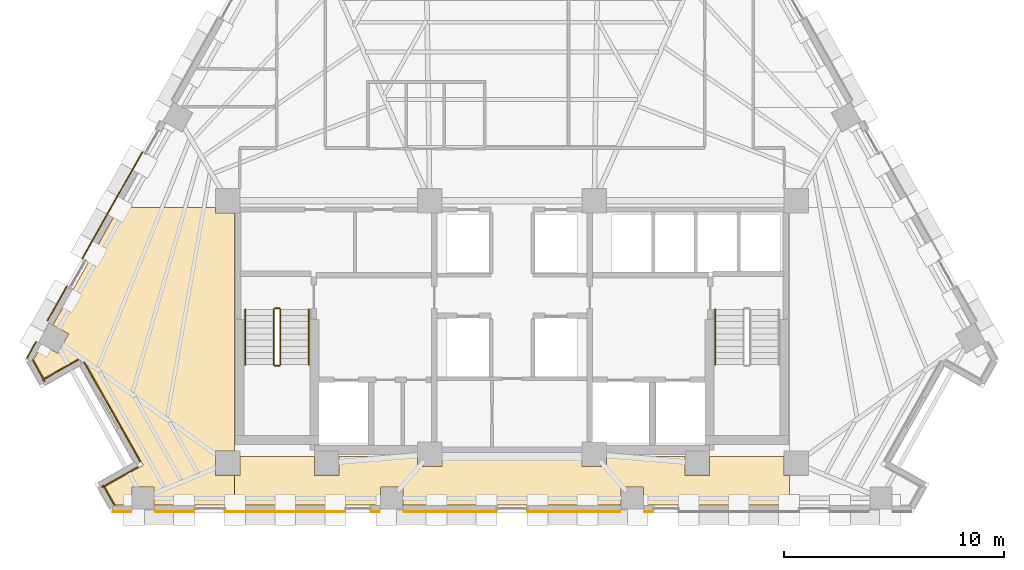
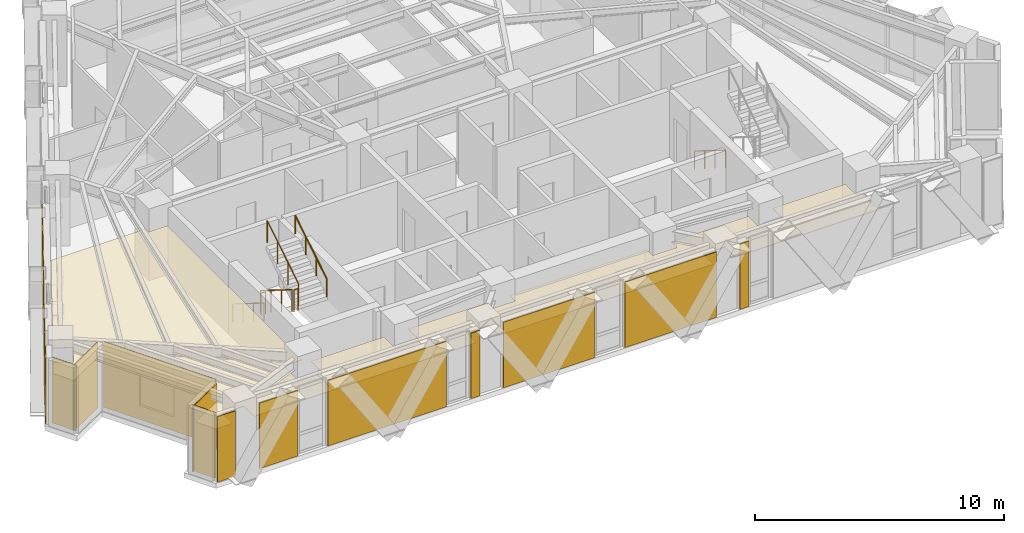
# One storey, part 10 of 13: 17 coverings, 7 railings.
"""IFC4 building model written with IfcOpenShell, lengths in metres."""

from ifc_helpers import new_model, si_unit, direction, frame, origin, origin_2d, place, context, subcontext, project, spatial, polyline, circle, outline, extrude, material, layer, layer_set, type_object, element, save


model = new_model("IFC4")

# Units and contexts
model_context = context("Model", 3, precision=1e-05, world=origin(), true_north=direction((0.0, 1.0)))
body_context = subcontext(model_context, "Body", "Model", "MODEL_VIEW")
ifc_project = project(units=[si_unit("LENGTHUNIT", "METRE"), si_unit("AREAUNIT", "SQUARE_METRE"), si_unit("VOLUMEUNIT", "CUBIC_METRE"), si_unit("PLANEANGLEUNIT", "RADIAN"), si_unit("MASSUNIT", "GRAM", prefix="KILO")], contexts=[model_context])

# Site, building, storey
site_placement = place(None, origin())
site = spatial("IfcSite", under=ifc_project, at=site_placement, CompositionType="ELEMENT")
building_placement = place(site_placement, origin())
building = spatial("IfcBuilding", under=site, at=building_placement, Name="Quenlor Broadcast Tower", CompositionType="ELEMENT")
storey_placement = place(building_placement, frame((0.0, 0.0, 161.5)))
storey = spatial("IfcBuildingStorey", under=building, at=storey_placement, Name="L44", CompositionType="ELEMENT", Elevation=161.5)

# Coverings
ifc_material_1 = material(Name="Acoustic Mineral Fibre Board", Category="other")
ifc_layer_1 = layer(ifc_material_1, 0.02490234375)
ifc_layer_set_1 = layer_set([ifc_layer_1], Name="Acoustic Perforated Mineral Tile Ceiling 25")
covering_type_1 = type_object("IfcCoveringType", Name="Acoustic Perforated Mineral Tile Ceiling 25", PredefinedType="CEILING", material=ifc_layer_set_1)
covering_1_placement = place(storey_placement, frame((0.0, 0.0, 2.375)))
element("IfcCovering", 1, at=covering_1_placement, inside=storey, type_object=covering_type_1, Name="L44 Acoustic Ceiling L44-36-3", PredefinedType="CEILING", context=body_context, shape_type="SweptSolid", body=[
    extrude(outline(polyline([(-21.794921875, -12.0400390625), (-21.406982421875, -11.350341796875), (-20.694091796875, -11.751220703125), (-20.19580078125, -10.86572265625), (-20.90869140625, -10.46484375), (-17.90234375, -5.1201171875), (-13.508056640625, -5.1201171875), (-13.508056640625, -5.35791015625), (-12.64990234375, -5.35791015625), (-12.64990234375, -16.19189453125), (-13.508056640625, -16.19189453125), (-13.508056640625, -17.30810546875), (-12.64990234375, -17.30810546875), (-12.64990234375, -18.659912109375), (-16.30029296875, -18.659912109375), (-16.30029296875, -17.842041015625), (-17.31640625, -17.842041015625), (-17.31640625, -18.659912109375), (-18.071044921875, -18.659912109375), (-18.538818359375, -17.82861328125), (-16.795654296875, -16.847900390625), (-19.580322265625, -11.8974609375), (-21.323486328125, -12.878173828125), (-21.794921875, -12.0400390625)])), origin(), (0.0, 0.0, 1.0), 0.02490234375),
])
covering_2_placement = place(storey_placement, frame((0.0, 0.0, 2.375)))
element("IfcCovering", 2, at=covering_2_placement, inside=storey, type_object=covering_type_1, Name="L44 Acoustic Ceiling L44-36-5", PredefinedType="CEILING", context=body_context, shape_type="SweptSolid", body=[
    extrude(outline(polyline([(-12.39208984375, -17.30810546875), (-12.39208984375, -16.449951171875), (-9.008056640625, -16.449951171875), (-9.008056640625, -17.30810546875), (-7.89208984375, -17.30810546875), (-7.89208984375, -16.449951171875), (-4.30810546875, -16.449951171875), (-4.30810546875, -16.907958984375), (-3.19189453125, -16.907958984375), (-3.19189453125, -16.449951171875), (3.19189453125, -16.449951171875), (3.19189453125, -16.907958984375), (4.30810546875, -16.907958984375), (4.30810546875, -16.449951171875), (7.89208984375, -16.449951171875), (7.89208984375, -17.30810546875), (9.008056640625, -17.30810546875), (9.008056640625, -16.449951171875), (12.39208984375, -16.449951171875), (12.39208984375, -17.30810546875), (12.64990234375, -17.30810546875), (12.64990234375, -18.659912109375), (5.989013671875, -18.659912109375), (5.989013671875, -17.842041015625), (4.972900390625, -17.842041015625), (4.972900390625, -18.659912109375), (-4.972900390625, -18.659912109375), (-4.972900390625, -17.842041015625), (-5.989013671875, -17.842041015625), (-5.989013671875, -18.659912109375), (-12.64990234375, -18.659912109375), (-12.64990234375, -17.30810546875), (-12.39208984375, -17.30810546875)])), origin(), (0.0, 0.0, 1.0), 0.02490234375),
])
ifc_material_2 = material(Name="Architectural Terracotta Ceramic", Category="masonry")
ifc_layer_2 = layer(ifc_material_2, 0.044921875)
ifc_layer_set_2 = layer_set([ifc_layer_2], Name="Fluted Terracotta Rainscreen Cladding Panel")
covering_type_2 = type_object("IfcCoveringType", Name="Fluted Terracotta Rainscreen Cladding Panel", PredefinedType="CLADDING", material=ifc_layer_set_2)
covering_3_placement = place(storey_placement, frame((0.0, 0.0, 0.02001953125)))
element("IfcCovering", 3, at=covering_3_placement, inside=storey, type_object=covering_type_2, Name="L44 Terracotta Rainscreen Cladding L44-SHD-SS1", PredefinedType="CLADDING", context=body_context, shape_type="SweptSolid", body=[
    extrude(outline(polyline([(-17.343505859375, -18.93701171875), (-18.179931640625, -18.93701171875), (-18.179931640625, -18.98193359375), (-17.343505859375, -18.98193359375), (-17.343505859375, -18.93701171875)])), origin(), (0.0, 0.0, 1.0), 3.2099609375),
])
covering_4_placement = place(storey_placement, frame((0.0, 0.0, 0.02001953125)))
element("IfcCovering", 4, at=covering_4_placement, inside=storey, type_object=covering_type_2, Name="L44 Terracotta Rainscreen Cladding L44-SA-SP3", PredefinedType="CLADDING", context=body_context, shape_type="SweptSolid", body=[
    extrude(outline(polyline([(6.43603515625, -18.95703125), (6.035888671875, -18.95703125), (6.035888671875, -19.001953125), (6.43603515625, -19.001953125), (6.43603515625, -18.95703125)])), origin(), (0.0, 0.0, 1.0), 3.2099609375),
])
covering_5_placement = place(storey_placement, frame((0.0, 0.0, 0.02001953125)))
element("IfcCovering", 5, at=covering_5_placement, inside=storey, type_object=covering_type_2, Name="L44 Terracotta Rainscreen Cladding L44-SC-SP1", PredefinedType="CLADDING", context=body_context, shape_type="SweptSolid", body=[
    extrude(outline(polyline([(-6.035888671875, -18.95703125), (-6.43603515625, -18.95703125), (-6.43603515625, -19.001953125), (-6.035888671875, -19.001953125), (-6.035888671875, -18.95703125)])), origin(), (0.0, 0.0, 1.0), 3.2099609375),
])
covering_6_placement = place(storey_placement, frame((0.0, 0.0, 0.02001953125)))
element("IfcCovering", 6, at=covering_6_placement, inside=storey, type_object=covering_type_2, Name="L44 Terracotta Rainscreen Cladding L44-SC-SP2", PredefinedType="CLADDING", context=body_context, shape_type="SweptSolid", body=[
    extrude(outline(polyline([(-7.5869140625, -18.95703125), (-13.076904296875, -18.95703125), (-13.076904296875, -19.001953125), (-7.5869140625, -19.001953125), (-7.5869140625, -18.95703125)])), origin(), (0.0, 0.0, 1.0), 3.2099609375),
])
covering_7_placement = place(storey_placement, frame((0.0, 0.0, 0.02001953125)))
element("IfcCovering", 7, at=covering_7_placement, inside=storey, type_object=covering_type_2, Name="L44 Terracotta Rainscreen Cladding L44-SC-SP3", PredefinedType="CLADDING", context=body_context, shape_type="SweptSolid", body=[
    extrude(outline(polyline([(-14.47509765625, -18.95703125), (-16.25341796875, -18.95703125), (-16.25341796875, -19.001953125), (-14.47509765625, -19.001953125), (-14.47509765625, -18.95703125)])), origin(), (0.0, 0.0, 1.0), 3.2099609375),
])
covering_8_placement = place(storey_placement, frame((0.0, 0.0, 0.02001953125)))
element("IfcCovering", 8, at=covering_8_placement, inside=storey, type_object=covering_type_2, Name="L44 Terracotta Rainscreen Cladding L44-S-SP1", PredefinedType="CLADDING", context=body_context, shape_type="SweptSolid", body=[
    extrude(outline(polyline([(4.930908203125, -18.95703125), (0.698974609375, -18.95703125), (0.698974609375, -19.001953125), (4.930908203125, -19.001953125), (4.930908203125, -18.95703125)])), origin(), (0.0, 0.0, 1.0), 3.2099609375),
])
covering_9_placement = place(storey_placement, frame((0.0, 0.0, 0.02001953125)))
element("IfcCovering", 9, at=covering_9_placement, inside=storey, type_object=covering_type_2, Name="L44 Terracotta Rainscreen Cladding L44-S-SP2", PredefinedType="CLADDING", context=body_context, shape_type="SweptSolid", body=[
    extrude(outline(polyline([(-0.698974609375, -18.95703125), (-4.930908203125, -18.95703125), (-4.930908203125, -19.001953125), (-0.698974609375, -19.001953125), (-0.698974609375, -18.95703125)])), origin(), (0.0, 0.0, 1.0), 3.2099609375),
])
covering_10_placement = place(storey_placement, frame((0.0, 0.0, 0.02001953125)))
element("IfcCovering", 10, at=covering_10_placement, inside=storey, type_object=covering_type_2, Name="L44 Terracotta Rainscreen Cladding L44-SHD-NWS0", PredefinedType="CLADDING", context=body_context, shape_type="SweptSolid", body=[
    extrude(outline(polyline([(-22.0859375, -11.992431640625), (-21.66162109375, -11.23779296875), (-21.70068359375, -11.2158203125), (-22.125244140625, -11.970458984375), (-22.0859375, -11.992431640625)])), origin(), (0.0, 0.0, 1.0), 3.2099609375),
])
covering_11_placement = place(storey_placement, frame((0.0, 0.0, 0.02001953125)))
element("IfcCovering", 11, at=covering_11_placement, inside=storey, type_object=covering_type_2, Name="L44 Terracotta Rainscreen Cladding L44-NWA-SP1", PredefinedType="CLADDING", context=body_context, shape_type="SweptSolid", body=[
    extrude(outline(polyline([(-21.14453125, -10.278076171875), (-20.26416015625, -8.712646484375), (-20.30322265625, -8.690673828125), (-21.183837890625, -10.256103515625), (-21.14453125, -10.278076171875)])), origin(), (0.0, 0.0, 1.0), 3.2099609375),
])
covering_12_placement = place(storey_placement, frame((0.0, 0.0, 0.02001953125)))
element("IfcCovering", 12, at=covering_12_placement, inside=storey, type_object=covering_type_2, Name="L44 Terracotta Rainscreen Cladding L44-NWA-SP2", PredefinedType="CLADDING", context=body_context, shape_type="SweptSolid", body=[
    extrude(outline(polyline([(-19.55322265625, -7.44921875), (-16.81591796875, -2.582763671875), (-16.855224609375, -2.560791015625), (-19.592529296875, -7.42724609375), (-19.55322265625, -7.44921875)])), origin(), (0.0, 0.0, 1.0), 3.2099609375),
])
covering_13_placement = place(storey_placement, frame((0.0, 0.0, 0.02001953125)))
element("IfcCovering", 13, at=covering_13_placement, inside=storey, type_object=covering_type_2, Name="L44 Terracotta Rainscreen Cladding L44-CNR-12", PredefinedType="CLADDING", context=body_context, shape_type="SweptSolid", body=[
    extrude(outline(polyline([(-21.864501953125, -12.0546875), (-21.309326171875, -13.0419921875), (-21.27001953125, -13.02001953125), (-21.825439453125, -12.03271484375), (-21.864501953125, -12.0546875)])), origin(), (0.0, 0.0, 1.0), 3.2099609375),
])
covering_14_placement = place(storey_placement, frame((0.0, 0.0, 0.02001953125)))
element("IfcCovering", 14, at=covering_14_placement, inside=storey, type_object=covering_type_2, Name="L44 Terracotta Rainscreen Cladding L44-CNR-13", PredefinedType="CLADDING", context=body_context, shape_type="SweptSolid", body=[
    extrude(outline(polyline([(-21.385986328125, -12.9912109375), (-19.72998046875, -12.059814453125), (-19.752197265625, -12.0205078125), (-21.408203125, -12.9521484375), (-21.385986328125, -12.9912109375)])), origin(), (0.0, 0.0, 1.0), 3.2099609375),
])
covering_15_placement = place(storey_placement, frame((0.0, 0.0, 0.02001953125)))
element("IfcCovering", 15, at=covering_15_placement, inside=storey, type_object=covering_type_2, Name="L44 Terracotta Rainscreen Cladding L44-CNR-14", PredefinedType="CLADDING", context=body_context, shape_type="SweptSolid", body=[
    extrude(outline(polyline([(-19.51708984375, -12.148681640625), (-16.9580078125, -16.6982421875), (-16.918701171875, -16.67626953125), (-19.477783203125, -12.126708984375), (-19.51708984375, -12.148681640625)])), origin(), (0.0, 0.0, 1.0), 3.2099609375),
])
covering_16_placement = place(storey_placement, frame((0.0, 0.0, 0.02001953125)))
element("IfcCovering", 16, at=covering_16_placement, inside=storey, type_object=covering_type_2, Name="L44 Terracotta Rainscreen Cladding L44-CNR-15", PredefinedType="CLADDING", context=body_context, shape_type="SweptSolid", body=[
    extrude(outline(polyline([(-17.046875, -16.911376953125), (-18.702880859375, -17.8427734375), (-18.680908203125, -17.882080078125), (-17.02490234375, -16.950439453125), (-17.046875, -16.911376953125)])), origin(), (0.0, 0.0, 1.0), 3.2099609375),
])
covering_17_placement = place(storey_placement, frame((0.0, 0.0, 0.02001953125)))
element("IfcCovering", 17, at=covering_17_placement, inside=storey, type_object=covering_type_2, Name="L44 Terracotta Rainscreen Cladding L44-CNR-16", PredefinedType="CLADDING", context=body_context, shape_type="SweptSolid", body=[
    extrude(outline(polyline([(-18.652099609375, -17.76611328125), (-18.127685546875, -18.697998046875), (-18.088623046875, -18.67578125), (-18.61279296875, -17.743896484375), (-18.652099609375, -17.76611328125)])), origin(), (0.0, 0.0, 1.0), 3.2099609375),
])

# Railings
ifc_material_3 = material(Name="Anodised Aluminium", Category="aluminium")
railing_type_1 = type_object("IfcRailingType", Name="Stainless Aluminium Wall Handrail 900", PredefinedType="HANDRAIL", material=ifc_material_3)
railing_1_placement = place(storey_placement, frame((-12.14990234375, -9.75, 0.175048828125)))
element("IfcRailing", 18, at=railing_1_placement, inside=storey, type_object=railing_type_1, Name="L44 ST-1 stair handrail 1", PredefinedType="HANDRAIL", context=body_context, shape_type="SweptSolid", body=[
    extrude(circle(Radius=0.02392578125, at=origin_2d()), frame((0.0, 0.0, 0.8759765625), z_axis=(0.0, -0.848007534815, 0.529984170421), x_axis=(1.0, 0.0, 0.0)), (0.0, 0.0, 1.0), 2.9716796875),
    extrude(circle(Radius=0.02099609375, at=origin_2d()), origin(), (0.0, 0.0, 1.0), 0.851806640625),
    extrude(circle(Radius=0.02099609375, at=origin_2d()), frame((0.0, -0.840087890625, 0.52490234375)), (0.0, 0.0, 1.0), 0.851806640625),
    extrude(circle(Radius=0.02099609375, at=origin_2d()), frame((0.0, -1.679931640625, 1.050048828125)), (0.0, 0.0, 1.0), 0.851806640625),
    extrude(circle(Radius=0.02099609375, at=origin_2d()), frame((0.0, -2.52001953125, 1.574951171875)), (0.0, 0.0, 1.0), 0.851806640625),
])
railing_2_placement = place(storey_placement, frame((-9.25, -12.27001953125, 1.925048828125)))
element("IfcRailing", 19, at=railing_2_placement, inside=storey, type_object=railing_type_1, Name="L44 ST-1 stair handrail 2", PredefinedType="HANDRAIL", context=body_context, shape_type="SweptSolid", body=[
    extrude(circle(Radius=0.02392578125, at=origin_2d()), frame((0.0, 0.0, 0.8759765625), z_axis=(0.0, 0.848007534815, 0.529984170421), x_axis=(-1.0, 0.0, 0.0)), (0.0, 0.0, 1.0), 2.9716796875),
    extrude(circle(Radius=0.02099609375, at=origin_2d()), origin(), (0.0, 0.0, 1.0), 0.851806640625),
    extrude(circle(Radius=0.02099609375, at=origin_2d()), frame((0.0, 0.840087890625, 0.52490234375)), (0.0, 0.0, 1.0), 0.851806640625),
    extrude(circle(Radius=0.02099609375, at=origin_2d()), frame((0.0, 1.679931640625, 1.050048828125)), (0.0, 0.0, 1.0), 0.851806640625),
    extrude(circle(Radius=0.02099609375, at=origin_2d()), frame((0.0, 2.52001953125, 1.574951171875)), (0.0, 0.0, 1.0), 0.851806640625),
])
railing_3_placement = place(storey_placement, frame((9.25, -9.75, 0.175048828125)))
element("IfcRailing", 20, at=railing_3_placement, inside=storey, type_object=railing_type_1, Name="L44 ST-2 stair handrail 1", PredefinedType="HANDRAIL", context=body_context, shape_type="SweptSolid", body=[
    extrude(circle(Radius=0.02392578125, at=origin_2d()), frame((0.0, 0.0, 0.8759765625), z_axis=(0.0, -0.848007534815, 0.529984170421), x_axis=(1.0, 0.0, 0.0)), (0.0, 0.0, 1.0), 2.9716796875),
    extrude(circle(Radius=0.02099609375, at=origin_2d()), origin(), (0.0, 0.0, 1.0), 0.851806640625),
    extrude(circle(Radius=0.02099609375, at=origin_2d()), frame((0.0, -0.840087890625, 0.52490234375)), (0.0, 0.0, 1.0), 0.851806640625),
    extrude(circle(Radius=0.02099609375, at=origin_2d()), frame((0.0, -1.679931640625, 1.050048828125)), (0.0, 0.0, 1.0), 0.851806640625),
    extrude(circle(Radius=0.02099609375, at=origin_2d()), frame((0.0, -2.52001953125, 1.574951171875)), (0.0, 0.0, 1.0), 0.851806640625),
])
ifc_material_4 = material(Name="Steel S355", Category="steel")
railing_type_2 = type_object("IfcRailingType", Name="Tubular Steel S355 Stair Guardrail 1100", PredefinedType="BALUSTRADE", material=ifc_material_4)
railing_4_placement = place(storey_placement, frame((-10.85009765625, -9.75, 0.175048828125)))
element("IfcRailing", 21, at=railing_4_placement, inside=storey, type_object=railing_type_2, Name="L44 ST-1 stair guard 1", PredefinedType="BALUSTRADE", context=body_context, shape_type="SweptSolid", body=[
    extrude(circle(Radius=0.02392578125, at=origin_2d()), frame((0.0, 0.0, 1.076171875), z_axis=(0.0, -0.848007534815, 0.529984170421), x_axis=(1.0, 0.0, 0.0)), (0.0, 0.0, 1.0), 2.9716796875),
    extrude(circle(Radius=0.02099609375, at=origin_2d()), origin(), (0.0, 0.0, 1.0), 1.052001953125),
    extrude(circle(Radius=0.02099609375, at=origin_2d()), frame((0.0, -0.840087890625, 0.52490234375)), (0.0, 0.0, 1.0), 1.052001953125),
    extrude(circle(Radius=0.02099609375, at=origin_2d()), frame((0.0, -1.679931640625, 1.050048828125)), (0.0, 0.0, 1.0), 1.052001953125),
    extrude(circle(Radius=0.02099609375, at=origin_2d()), frame((0.0, -2.52001953125, 1.574951171875)), (0.0, 0.0, 1.0), 1.052001953125),
])
railing_5_placement = place(storey_placement, frame((-10.800048828125, -12.320068359375, 1.75)))
element("IfcRailing", 22, at=railing_5_placement, inside=storey, type_object=railing_type_2, Name="L44 ST-1 stair guard 2", PredefinedType="BALUSTRADE", context=body_context, shape_type="SweptSolid", body=[
    extrude(circle(Radius=0.02392578125, at=origin_2d()), frame((0.0, 0.0, 1.076171875), z_axis=(1.0, 0.0, 0.0), x_axis=(0.0, 1.0, 0.0)), (0.0, 0.0, 1.0), 0.199951171875),
    extrude(circle(Radius=0.02099609375, at=origin_2d()), origin(), (0.0, 0.0, 1.0), 1.052001953125),
    extrude(circle(Radius=0.02099609375, at=origin_2d()), frame((0.199951171875, 0.0, 0.0)), (0.0, 0.0, 1.0), 1.052001953125),
])
railing_6_placement = place(storey_placement, frame((-10.550048828125, -12.27001953125, 1.925048828125)))
element("IfcRailing", 23, at=railing_6_placement, inside=storey, type_object=railing_type_2, Name="L44 ST-1 stair guard 3", PredefinedType="BALUSTRADE", context=body_context, shape_type="SweptSolid", body=[
    extrude(circle(Radius=0.02392578125, at=origin_2d()), frame((0.0, 0.0, 1.076171875), z_axis=(0.0, 0.848007534815, 0.529984170421), x_axis=(-1.0, 0.0, 0.0)), (0.0, 0.0, 1.0), 2.9716796875),
    extrude(circle(Radius=0.02099609375, at=origin_2d()), origin(), (0.0, 0.0, 1.0), 1.052001953125),
    extrude(circle(Radius=0.02099609375, at=origin_2d()), frame((0.0, 0.840087890625, 0.52490234375)), (0.0, 0.0, 1.0), 1.052001953125),
    extrude(circle(Radius=0.02099609375, at=origin_2d()), frame((0.0, 1.679931640625, 1.050048828125)), (0.0, 0.0, 1.0), 1.052001953125),
    extrude(circle(Radius=0.02099609375, at=origin_2d()), frame((0.0, 2.52001953125, 1.574951171875)), (0.0, 0.0, 1.0), 1.052001953125),
])
railing_7_placement = place(storey_placement, frame((-10.800048828125, -9.699951171875, 0.0)))
element("IfcRailing", 24, at=railing_7_placement, inside=storey, type_object=railing_type_2, Name="L44 ST-1 stair guard 4", PredefinedType="BALUSTRADE", context=body_context, shape_type="SweptSolid", body=[
    extrude(circle(Radius=0.02392578125, at=origin_2d()), frame((0.0, 0.0, 1.076171875), z_axis=(1.0, 0.0, 0.0), x_axis=(0.0, 1.0, 0.0)), (0.0, 0.0, 1.0), 0.199951171875),
    extrude(circle(Radius=0.02099609375, at=origin_2d()), origin(), (0.0, 0.0, 1.0), 1.052001953125),
    extrude(circle(Radius=0.02099609375, at=origin_2d()), frame((0.199951171875, 0.0, 0.0)), (0.0, 0.0, 1.0), 1.052001953125),
])

save(model, "model.ifc")
